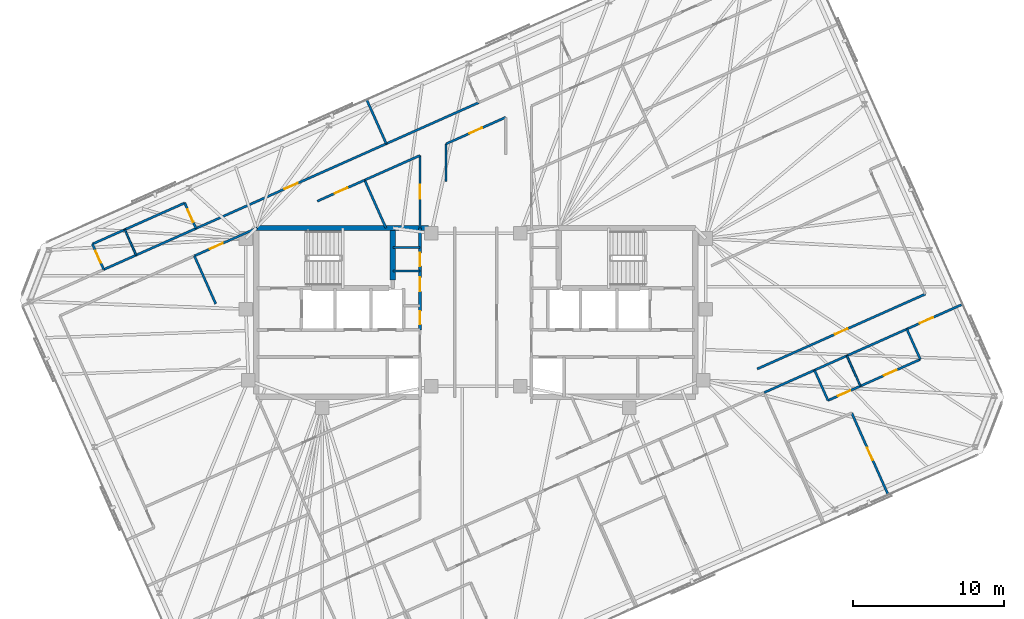
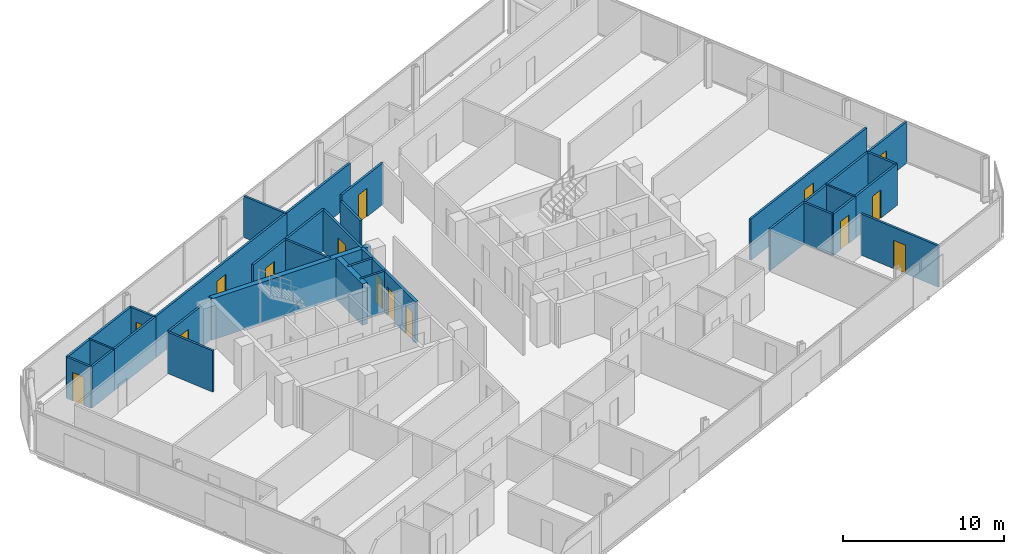
# One storey, part 16 of 19: 34 walls, 15 doors, 15 openings.
"""IFC4 building model written with IfcOpenShell, lengths in metres."""

from ifc_helpers import new_model, si_unit, direction, frame, frame_2d, origin, place, context, subcontext, project, spatial, rectangle, extrude, material, layer, layer_set, type_object, element, fill, save


model = new_model("IFC4")

# Units and contexts
model_context = context("Model", 3, precision=1e-05, world=origin(), true_north=direction((0.0, 1.0)))
body_context = subcontext(model_context, "Body", "Model", "MODEL_VIEW")
ifc_project = project(units=[si_unit("LENGTHUNIT", "METRE"), si_unit("AREAUNIT", "SQUARE_METRE"), si_unit("VOLUMEUNIT", "CUBIC_METRE"), si_unit("PLANEANGLEUNIT", "RADIAN"), si_unit("MASSUNIT", "GRAM", prefix="KILO")], contexts=[model_context])

# Site, building, storey
site_placement = place(None, origin())
site = spatial("IfcSite", under=ifc_project, at=site_placement, CompositionType="ELEMENT")
building_placement = place(site_placement, origin())
building = spatial("IfcBuilding", under=site, at=building_placement, Name="Menara Jurai Vektor", CompositionType="ELEMENT")
storey_placement = place(building_placement, frame((0.0, 0.0, 268.89990234375)))
storey = spatial("IfcBuildingStorey", under=building, at=storey_placement, Name="L72", CompositionType="ELEMENT", Elevation=268.89990234375)

# Walls
ifc_material_1 = material(Name="Gypsum Fireboard Partition", Category="gypsum")
ifc_layer_1 = layer(ifc_material_1, 0.14990234375)
ifc_layer_set_1 = layer_set([ifc_layer_1], Name="Gypsum Fireboard Partition")
wall_type_1 = type_object("IfcWallType", Name="INT-WALL-CORR-150", PredefinedType="PARTITIONING", material=ifc_layer_set_1)
for number, where, z_axis, x_axis, name in (
    (1, (-5.5, 4.300048828125, 0.0), (0.0, 0.0, 1.0), (1.0, 0.0, 0.0), "Interior Wall IW-150 L72"),
    (2, (-5.5, 2.75, 0.0), (0.0, 0.0, 1.0), (1.0, 0.0, 0.0), "Interior Wall IW-150 L72"),
):
    element("IfcWall", number, at=place(storey_placement, frame(where, z_axis=z_axis, x_axis=x_axis)), inside=storey, type_object=wall_type_1, Name=name, PredefinedType="PARTITIONING", context=body_context, shape_type="SweptSolid", body=[
        extrude(rectangle(XDim=1.800048828125, YDim=0.14990234375, at=frame_2d((0.89990234375, 0.0))), origin(), (0.0, 0.0, 1.0), 3.125),
    ])

# Wall, opening, door
wall_1_placement = place(storey_placement, frame((-18.549072265625, 5.5703125, 0.0), z_axis=(0.0, 0.0, 1.0), x_axis=(0.913545955058, 0.40673552586, 0.0)))
wall_1 = element("IfcWall", 3, at=wall_1_placement, inside=storey, type_object=wall_type_1, Name="Interior Wall IW-150 L72", PredefinedType="PARTITIONING", context=body_context, shape_type="SweptSolid", body=[
    extrude(rectangle(XDim=13.80810546875, YDim=0.14990234375, at=frame_2d((6.904052734375, 0.0))), origin(), (0.0, 0.0, 1.0), 3.125),
])
opening_1_placement = place(wall_1_placement, frame((6.428955078125, 0.0, 0.0)))
opening_1 = element("IfcOpeningElement", 4, at=opening_1_placement, cuts=wall_1, Name="Opening D72-10", PredefinedType="OPENING", context=body_context, shape_type="SweptSolid", body=[
    extrude(rectangle(XDim=0.949951171875, YDim=2.14990234375, at=frame_2d((0.47509765625, 1.074951171875))), frame((0.0, 0.0849609375, 0.0), z_axis=(0.0, -1.0, 0.0), x_axis=(1.0, 0.0, 0.0)), (0.0, 0.0, 1.0), 0.169921875),
])
ifc_material_2 = material(Name="Solid Core Timber Fire Door", Category="wood")
door_type_1 = type_object("IfcDoorType", Name="DR-ENTRY-950", OperationType="NOTDEFINED", PredefinedType="DOOR", material=ifc_material_2)
door_1_placement = place(opening_1_placement, origin())
door_1 = element("IfcDoor", 5, at=door_1_placement, inside=storey, type_object=door_type_1, Name="Interior Door D72-10", OperationType="SINGLE_SWING_RIGHT", OverallHeight=2.14990234375, OverallWidth=0.949951171875, PredefinedType="DOOR", context=body_context, shape_type="SweptSolid", body=[
    extrude(rectangle(XDim=0.949951171875, YDim=2.14990234375, at=frame_2d((0.47509765625, 1.074951171875))), frame((0.0, 0.02490234375, 0.0), z_axis=(0.0, -1.0, 0.0), x_axis=(1.0, 0.0, 0.0)), (0.0, 0.0, 1.0), 0.050048828125),
])
fill(opening_1, door_1)

# Walls
wall_2_placement = place(storey_placement, frame((-24.669677734375, 2.84521484375, 0.0), z_axis=(0.0, 0.0, 1.0), x_axis=(0.913541436194, 0.406745675276, 0.0)))
element("IfcWall", 6, at=wall_2_placement, inside=storey, type_object=wall_type_1, Name="Interior Wall IW-150 L72", PredefinedType="PARTITIONING", context=body_context, shape_type="SweptSolid", body=[
    extrude(rectangle(XDim=2.349853515625, YDim=0.14990234375, at=frame_2d((1.1748046875, 0.0))), origin(), (0.0, 0.0, 1.0), 3.125),
])
wall_3_placement = place(storey_placement, frame((-22.52294921875, 3.801025390625, 0.0), z_axis=(0.0, 0.0, 1.0), x_axis=(0.913545193015, 0.406737237438, 0.0)))
element("IfcWall", 7, at=wall_3_placement, inside=storey, type_object=wall_type_1, Name="Interior Wall IW-150 L72", PredefinedType="PARTITIONING", context=body_context, shape_type="SweptSolid", body=[
    extrude(rectangle(XDim=4.349853515625, YDim=0.14990234375, at=frame_2d((2.1748046875, 0.0))), origin(), (0.0, 0.0, 1.0), 3.125),
])
wall_4_placement = place(storey_placement, frame((-5.934814453125, 11.1865234375, 0.0), z_axis=(0.0, 0.0, 1.0), x_axis=(0.91354851465, 0.406729776856, 0.0)))
element("IfcWall", 8, at=wall_4_placement, inside=storey, type_object=wall_type_1, Name="Interior Wall IW-150 L72", PredefinedType="PARTITIONING", context=body_context, shape_type="SweptSolid", body=[
    extrude(rectangle(XDim=6.703125, YDim=0.14990234375, at=frame_2d((3.3515625, 0.0))), origin(), (0.0, 0.0, 1.0), 3.125),
])
wall_5_placement = place(storey_placement, frame((19.125244140625, -5.314208984375, 0.0), z_axis=(0.0, 0.0, 1.0), x_axis=(0.913543802, 0.40674036169, 0.0)))
element("IfcWall", 9, at=wall_5_placement, inside=storey, type_object=wall_type_1, Name="Interior Wall IW-150 L72", PredefinedType="PARTITIONING", context=body_context, shape_type="SweptSolid", body=[
    extrude(rectangle(XDim=3.650146484375, YDim=0.14990234375, at=frame_2d((1.8251953125, 0.0))), origin(), (0.0, 0.0, 1.0), 3.125),
])

# Wall, opening, door
wall_6_placement = place(storey_placement, frame((28.58056640625, -1.1044921875, 0.0), z_axis=(0.0, 0.0, 1.0), x_axis=(0.91352836412, 0.406775033585, 0.0)))
wall_6 = element("IfcWall", 10, at=wall_6_placement, inside=storey, type_object=wall_type_1, Name="Interior Wall IW-150 L72", PredefinedType="PARTITIONING", context=body_context, shape_type="SweptSolid", body=[
    extrude(rectangle(XDim=4.05615234375, YDim=0.14990234375, at=frame_2d((2.028076171875, 0.0))), origin(), (0.0, 0.0, 1.0), 3.125),
])
opening_2_placement = place(wall_6_placement, frame((0.944580078125, 0.0, 0.0)))
opening_2 = element("IfcOpeningElement", 11, at=opening_2_placement, cuts=wall_6, Name="Opening D72-28", PredefinedType="OPENING", context=body_context, shape_type="SweptSolid", body=[
    extrude(rectangle(XDim=0.949951171875, YDim=2.14990234375, at=frame_2d((0.47509765625, 1.074951171875))), frame((0.0, 0.0849609375, 0.0), z_axis=(0.0, -1.0, 0.0), x_axis=(1.0, 0.0, 0.0)), (0.0, 0.0, 1.0), 0.169921875),
])
door_2_placement = place(opening_2_placement, origin())
door_2 = element("IfcDoor", 12, at=door_2_placement, inside=storey, type_object=door_type_1, Name="Interior Door D72-28", OperationType="SINGLE_SWING_RIGHT", OverallHeight=2.14990234375, OverallWidth=0.949951171875, PredefinedType="DOOR", context=body_context, shape_type="SweptSolid", body=[
    extrude(rectangle(XDim=0.949951171875, YDim=2.14990234375, at=frame_2d((0.47509765625, 1.074951171875))), frame((0.0, 0.02490234375, 0.0), z_axis=(0.0, -1.0, 0.0), x_axis=(1.0, 0.0, 0.0)), (0.0, 0.0, 1.0), 0.050048828125),
])
fill(opening_2, door_2)

# Walls
wall_7_placement = place(storey_placement, frame((22.459716796875, -3.82958984375, 0.0), z_axis=(0.0, 0.0, 1.0), x_axis=(0.913541436194, 0.406745675276, 0.0)))
element("IfcWall", 13, at=wall_7_placement, inside=storey, type_object=wall_type_1, Name="Interior Wall IW-150 L72", PredefinedType="PARTITIONING", context=body_context, shape_type="SweptSolid", body=[
    extrude(rectangle(XDim=2.349853515625, YDim=0.14990234375, at=frame_2d((1.1748046875, 0.0))), origin(), (0.0, 0.0, 1.0), 3.125),
])
wall_8_placement = place(storey_placement, frame((24.6064453125, -2.873779296875, 0.0), z_axis=(0.0, 0.0, 1.0), x_axis=(0.913554477336, 0.406716383908, 0.0)))
element("IfcWall", 14, at=wall_8_placement, inside=storey, type_object=wall_type_1, Name="Interior Wall IW-150 L72", PredefinedType="PARTITIONING", context=body_context, shape_type="SweptSolid", body=[
    extrude(rectangle(XDim=4.35009765625, YDim=0.14990234375, at=frame_2d((2.175048828125, 0.0))), origin(), (0.0, 0.0, 1.0), 3.125),
])

# Wall, opening, door
wall_9_placement = place(storey_placement, frame((-18.6611328125, 3.7470703125, 0.0), z_axis=(0.0, 0.0, 1.0), x_axis=(0.913535055583, 0.40676000568, 0.0)))
wall_9 = element("IfcWall", 15, at=wall_9_placement, inside=storey, type_object=wall_type_1, Name="Interior Wall IW-150 L72", PredefinedType="PARTITIONING", context=body_context, shape_type="SweptSolid", body=[
    extrude(rectangle(XDim=4.554931640625, YDim=0.14990234375, at=frame_2d((2.27734375, 0.0))), origin(), (0.0, 0.0, 1.0), 3.125),
])
opening_3_placement = place(wall_9_placement, frame((1.13427734375, 0.0, 0.0)))
opening_3 = element("IfcOpeningElement", 16, at=opening_3_placement, cuts=wall_9, Name="Opening D72-44", PredefinedType="OPENING", context=body_context, shape_type="SweptSolid", body=[
    extrude(rectangle(XDim=0.919921875, YDim=2.14990234375, at=frame_2d((0.4599609375, 1.074951171875))), frame((0.0, 0.0849609375, 0.0), z_axis=(0.0, -1.0, 0.0), x_axis=(1.0, 0.0, 0.0)), (0.0, 0.0, 1.0), 0.169921875),
])
door_3_placement = place(opening_3_placement, origin())
door_3 = element("IfcDoor", 17, at=door_3_placement, inside=storey, type_object=door_type_1, Name="Interior Door D72-44", OperationType="SINGLE_SWING_RIGHT", OverallHeight=2.14990234375, OverallWidth=0.919921875, PredefinedType="DOOR", context=body_context, shape_type="SweptSolid", body=[
    extrude(rectangle(XDim=0.919921875, YDim=2.14990234375, at=frame_2d((0.4599609375, 1.074951171875))), frame((0.0, 0.02490234375, 0.0), z_axis=(0.0, -1.0, 0.0), x_axis=(1.0, 0.0, 0.0)), (0.0, 0.0, 1.0), 0.050048828125),
])
fill(opening_3, door_3)

wall_10_placement = place(storey_placement, frame((-1.979736328125, 11.174072265625, 0.0), z_axis=(0.0, 0.0, 1.0), x_axis=(0.913546598225, 0.406734081276, 0.0)))
wall_10 = element("IfcWall", 18, at=wall_10_placement, inside=storey, type_object=wall_type_1, Name="Interior Wall IW-150 L72", PredefinedType="PARTITIONING", context=body_context, shape_type="SweptSolid", body=[
    extrude(rectangle(XDim=4.3349609375, YDim=0.14990234375, at=frame_2d((2.16748046875, 0.0))), origin(), (0.0, 0.0, 1.0), 3.125),
])
opening_4_placement = place(wall_10_placement, frame((1.70751953125, 0.0, 0.0)))
opening_4 = element("IfcOpeningElement", 19, at=opening_4_placement, cuts=wall_10, Name="Opening D72-45", PredefinedType="OPENING", context=body_context, shape_type="SweptSolid", body=[
    extrude(rectangle(XDim=0.919921875, YDim=2.14990234375, at=frame_2d((0.4599609375, 1.074951171875))), frame((0.0, 0.0849609375, 0.0), z_axis=(0.0, -1.0, 0.0), x_axis=(1.0, 0.0, 0.0)), (0.0, 0.0, 1.0), 0.169921875),
])
door_4_placement = place(opening_4_placement, origin())
door_4 = element("IfcDoor", 20, at=door_4_placement, inside=storey, type_object=door_type_1, Name="Interior Door D72-45", OperationType="SINGLE_SWING_LEFT", OverallHeight=2.14990234375, OverallWidth=0.919921875, PredefinedType="DOOR", context=body_context, shape_type="SweptSolid", body=[
    extrude(rectangle(XDim=0.919921875, YDim=2.14990234375, at=frame_2d((0.4599609375, 1.074951171875))), frame((0.0, 0.02490234375, 0.0), z_axis=(0.0, -1.0, 0.0), x_axis=(1.0, 0.0, 0.0)), (0.0, 0.0, 1.0), 0.050048828125),
])
fill(opening_4, door_4)

wall_11_placement = place(storey_placement, frame((-10.50390625, 7.37890625, 0.0), z_axis=(0.0, 0.0, 1.0), x_axis=(0.913526514415, 0.406779187596, 0.0)))
wall_11 = element("IfcWall", 21, at=wall_11_placement, inside=storey, type_object=wall_type_1, Name="Interior Wall IW-150 L72", PredefinedType="PARTITIONING", context=body_context, shape_type="SweptSolid", body=[
    extrude(rectangle(XDim=3.4287109375, YDim=0.14990234375, at=frame_2d((1.71435546875, 0.0))), origin(), (0.0, 0.0, 1.0), 3.125),
])
opening_5_placement = place(wall_11_placement, frame((1.25439453125, 0.0, 0.0)))
opening_5 = element("IfcOpeningElement", 22, at=opening_5_placement, cuts=wall_11, Name="Opening D72-46", PredefinedType="OPENING", context=body_context, shape_type="SweptSolid", body=[
    extrude(rectangle(XDim=0.919921875, YDim=2.14990234375, at=frame_2d((0.4599609375, 1.074951171875))), frame((0.0, 0.0849609375, 0.0), z_axis=(0.0, -1.0, 0.0), x_axis=(1.0, 0.0, 0.0)), (0.0, 0.0, 1.0), 0.169921875),
])
door_5_placement = place(opening_5_placement, origin())
door_5 = element("IfcDoor", 23, at=door_5_placement, inside=storey, type_object=door_type_1, Name="Interior Door D72-46", OperationType="SINGLE_SWING_RIGHT", OverallHeight=2.14990234375, OverallWidth=0.919921875, PredefinedType="DOOR", context=body_context, shape_type="SweptSolid", body=[
    extrude(rectangle(XDim=0.919921875, YDim=2.14990234375, at=frame_2d((0.4599609375, 1.074951171875))), frame((0.0, 0.02490234375, 0.0), z_axis=(0.0, -1.0, 0.0), x_axis=(1.0, 0.0, 0.0)), (0.0, 0.0, 1.0), 0.050048828125),
])
fill(opening_5, door_5)

# Wall
wall_12_placement = place(storey_placement, frame((-7.37158203125, 8.773681640625, 0.0), z_axis=(0.0, 0.0, 1.0), x_axis=(0.913563383118, 0.406696379412, 0.0)))
element("IfcWall", 24, at=wall_12_placement, inside=storey, type_object=wall_type_1, Name="Interior Wall IW-150 L72", PredefinedType="PARTITIONING", context=body_context, shape_type="SweptSolid", body=[
    extrude(rectangle(XDim=4.01904296875, YDim=0.14990234375, at=frame_2d((2.009521484375, 0.0))), origin(), (0.0, 0.0, 1.0), 3.125),
])

# Wall, opening, door
wall_13_placement = place(storey_placement, frame((-3.7001953125, 5.599609375, 0.0), z_axis=(0.0, 0.0, 1.0), x_axis=(5.077173e-05, 0.999999998711, 0.0)))
wall_13 = element("IfcWall", 25, at=wall_13_placement, inside=storey, type_object=wall_type_1, Name="Interior Wall IW-150 L72", PredefinedType="PARTITIONING", context=body_context, shape_type="SweptSolid", body=[
    extrude(rectangle(XDim=4.80859375, YDim=0.14990234375, at=frame_2d((2.404296875, 0.0))), origin(), (0.0, 0.0, 1.0), 3.125),
])
opening_6_placement = place(wall_13_placement, frame((1.9443359375, 0.0, 0.0)))
opening_6 = element("IfcOpeningElement", 26, at=opening_6_placement, cuts=wall_13, Name="Opening D72-47", PredefinedType="OPENING", context=body_context, shape_type="SweptSolid", body=[
    extrude(rectangle(XDim=0.919921875, YDim=2.14990234375, at=frame_2d((0.4599609375, 1.074951171875))), frame((0.0, 0.0849609375, 0.0), z_axis=(0.0, -1.0, 0.0), x_axis=(1.0, 0.0, 0.0)), (0.0, 0.0, 1.0), 0.169921875),
])
door_6_placement = place(opening_6_placement, origin())
door_6 = element("IfcDoor", 27, at=door_6_placement, inside=storey, type_object=door_type_1, Name="Interior Door D72-47", OperationType="SINGLE_SWING_LEFT", OverallHeight=2.14990234375, OverallWidth=0.919921875, PredefinedType="DOOR", context=body_context, shape_type="SweptSolid", body=[
    extrude(rectangle(XDim=0.919921875, YDim=2.14990234375, at=frame_2d((0.4599609375, 1.074951171875))), frame((0.0, 0.02490234375, 0.0), z_axis=(0.0, -1.0, 0.0), x_axis=(1.0, 0.0, 0.0)), (0.0, 0.0, 1.0), 0.050048828125),
])
fill(opening_6, door_6)

wall_14_placement = place(storey_placement, frame((18.661865234375, -3.747314453125, 0.0), z_axis=(0.0, 0.0, 1.0), x_axis=(0.91353989142, 0.406749144787, 0.0)))
wall_14 = element("IfcWall", 28, at=wall_14_placement, inside=storey, type_object=wall_type_1, Name="Interior Wall IW-150 L72", PredefinedType="PARTITIONING", context=body_context, shape_type="SweptSolid", body=[
    extrude(rectangle(XDim=12.201904296875, YDim=0.14990234375, at=frame_2d((6.10107421875, 0.0))), origin(), (0.0, 0.0, 1.0), 3.125),
])
opening_7_placement = place(wall_14_placement, frame((5.64111328125, 0.0, 0.0)))
opening_7 = element("IfcOpeningElement", 29, at=opening_7_placement, cuts=wall_14, Name="Opening D72-48", PredefinedType="OPENING", context=body_context, shape_type="SweptSolid", body=[
    extrude(rectangle(XDim=0.919921875, YDim=2.14990234375, at=frame_2d((0.4599609375, 1.074951171875))), frame((0.0, 0.0849609375, 0.0), z_axis=(0.0, -1.0, 0.0), x_axis=(1.0, 0.0, 0.0)), (0.0, 0.0, 1.0), 0.169921875),
])
door_7_placement = place(opening_7_placement, origin())
door_7 = element("IfcDoor", 30, at=door_7_placement, inside=storey, type_object=door_type_1, Name="Interior Door D72-48", OperationType="SINGLE_SWING_RIGHT", OverallHeight=2.14990234375, OverallWidth=0.919921875, PredefinedType="DOOR", context=body_context, shape_type="SweptSolid", body=[
    extrude(rectangle(XDim=0.919921875, YDim=2.14990234375, at=frame_2d((0.4599609375, 1.074951171875))), frame((0.0, 0.02490234375, 0.0), z_axis=(0.0, -1.0, 0.0), x_axis=(1.0, 0.0, 0.0)), (0.0, 0.0, 1.0), 0.050048828125),
])
fill(opening_7, door_7)

wall_15_placement = place(storey_placement, frame((-24.669677734375, 2.84521484375, 0.0), z_axis=(0.0, 0.0, 1.0), x_axis=(-0.406701600856, 0.913561058639, 0.0)))
wall_15 = element("IfcWall", 31, at=wall_15_placement, inside=storey, type_object=wall_type_1, Name="Interior Wall IW-150 L72", PredefinedType="PARTITIONING", context=body_context, shape_type="SweptSolid", body=[
    extrude(rectangle(XDim=1.85009765625, YDim=0.14990234375, at=frame_2d((0.925048828125, 0.0))), origin(), (0.0, 0.0, 1.0), 3.125),
])
opening_8_placement = place(wall_15_placement, frame((0.485107421875, 0.0, 0.0)))
opening_8 = element("IfcOpeningElement", 32, at=opening_8_placement, cuts=wall_15, Name="Opening D72-11", PredefinedType="OPENING", context=body_context, shape_type="SweptSolid", body=[
    extrude(rectangle(XDim=0.8798828125, YDim=2.14990234375, at=frame_2d((0.43994140625, 1.074951171875))), frame((0.0, 0.0849609375, 0.0), z_axis=(0.0, -1.0, 0.0), x_axis=(1.0, 0.0, 0.0)), (0.0, 0.0, 1.0), 0.169921875),
])
ifc_material_3 = material(Name="Moisture-Resistant Timber Door", Category="wood")
door_type_2 = type_object("IfcDoorType", Name="DR-BATH-880", OperationType="NOTDEFINED", PredefinedType="DOOR", material=ifc_material_3)
door_8_placement = place(opening_8_placement, origin())
door_8 = element("IfcDoor", 33, at=door_8_placement, inside=storey, type_object=door_type_2, Name="Interior Door D72-11", OperationType="SINGLE_SWING_LEFT", OverallHeight=2.14990234375, OverallWidth=0.8798828125, PredefinedType="DOOR", context=body_context, shape_type="SweptSolid", body=[
    extrude(rectangle(XDim=0.8798828125, YDim=2.14990234375, at=frame_2d((0.43994140625, 1.074951171875))), frame((0.0, 0.02490234375, 0.0), z_axis=(0.0, -1.0, 0.0), x_axis=(1.0, 0.0, 0.0)), (0.0, 0.0, 1.0), 0.050048828125),
])
fill(opening_8, door_8)

# Walls
wall_16_placement = place(storey_placement, frame((-25.422119140625, 4.535400390625, 0.0), z_axis=(0.0, 0.0, 1.0), x_axis=(0.913541436194, 0.406745675276, 0.0)))
element("IfcWall", 34, at=wall_16_placement, inside=storey, type_object=wall_type_1, Name="Interior Wall IW-150 L72", PredefinedType="PARTITIONING", context=body_context, shape_type="SweptSolid", body=[
    extrude(rectangle(XDim=2.349853515625, YDim=0.14990234375, at=frame_2d((1.1748046875, 0.0))), origin(), (0.0, 0.0, 1.0), 3.125),
])
wall_17_placement = place(storey_placement, frame((-23.275390625, 5.4912109375, 0.0), z_axis=(0.0, 0.0, 1.0), x_axis=(0.913545193015, 0.406737237438, 0.0)))
element("IfcWall", 35, at=wall_17_placement, inside=storey, type_object=wall_type_1, Name="Interior Wall IW-150 L72", PredefinedType="PARTITIONING", context=body_context, shape_type="SweptSolid", body=[
    extrude(rectangle(XDim=4.349853515625, YDim=0.14990234375, at=frame_2d((2.1748046875, 0.0))), origin(), (0.0, 0.0, 1.0), 3.125),
])

# Wall, opening, door
wall_18_placement = place(storey_placement, frame((-18.549072265625, 5.5703125, 0.0), z_axis=(0.0, 0.0, 1.0), x_axis=(-0.406701600856, 0.913561058639, 0.0)))
wall_18 = element("IfcWall", 36, at=wall_18_placement, inside=storey, type_object=wall_type_1, Name="Interior Wall IW-150 L72", PredefinedType="PARTITIONING", context=body_context, shape_type="SweptSolid", body=[
    extrude(rectangle(XDim=1.85009765625, YDim=0.14990234375, at=frame_2d((0.925048828125, 0.0))), origin(), (0.0, 0.0, 1.0), 3.125),
])
opening_9_placement = place(wall_18_placement, frame((0.47509765625, 0.0, 0.0)))
opening_9 = element("IfcOpeningElement", 37, at=opening_9_placement, cuts=wall_18, Name="Opening D72-12", PredefinedType="OPENING", context=body_context, shape_type="SweptSolid", body=[
    extrude(rectangle(XDim=0.89990234375, YDim=2.14990234375, at=frame_2d((0.449951171875, 1.074951171875))), frame((0.0, 0.0849609375, 0.0), z_axis=(0.0, -1.0, 0.0), x_axis=(1.0, 0.0, 0.0)), (0.0, 0.0, 1.0), 0.169921875),
])
ifc_material_4 = material(Name="Acoustic Timber Interior Door", Category="wood")
door_type_3 = type_object("IfcDoorType", Name="DR-ROOM-900", OperationType="NOTDEFINED", PredefinedType="DOOR", material=ifc_material_4)
door_9_placement = place(opening_9_placement, origin())
door_9 = element("IfcDoor", 38, at=door_9_placement, inside=storey, type_object=door_type_3, Name="Interior Door D72-12", OperationType="SINGLE_SWING_RIGHT", OverallHeight=2.14990234375, OverallWidth=0.89990234375, PredefinedType="DOOR", context=body_context, shape_type="SweptSolid", body=[
    extrude(rectangle(XDim=0.89990234375, YDim=2.14990234375, at=frame_2d((0.449951171875, 1.074951171875))), frame((0.0, 0.02490234375, 0.0), z_axis=(0.0, -1.0, 0.0), x_axis=(1.0, 0.0, 0.0)), (0.0, 0.0, 1.0), 0.050048828125),
])
fill(opening_9, door_9)

# Walls
wall_19_placement = place(storey_placement, frame((-5.934814453125, 11.1865234375, 0.0), z_axis=(0.0, 0.0, 1.0), x_axis=(-0.406733350739, 0.913546923478, 0.0)))
element("IfcWall", 39, at=wall_19_placement, inside=storey, type_object=wall_type_1, Name="Interior Wall IW-150 L72", PredefinedType="PARTITIONING", context=body_context, shape_type="SweptSolid", body=[
    extrude(rectangle(XDim=3.197998046875, YDim=0.14990234375, at=frame_2d((1.59912109375, 0.0))), origin(), (0.0, 0.0, 1.0), 3.125),
])
wall_20_placement = place(storey_placement, frame((23.3544921875, -5.83935546875, 0.0), z_axis=(0.0, 0.0, 1.0), x_axis=(-0.406725294076, 0.913550510459, 0.0)))
element("IfcWall", 40, at=wall_20_placement, inside=storey, type_object=wall_type_1, Name="Interior Wall IW-150 L72", PredefinedType="PARTITIONING", context=body_context, shape_type="SweptSolid", body=[
    extrude(rectangle(XDim=2.199951171875, YDim=0.14990234375, at=frame_2d((1.10009765625, 0.0))), origin(), (0.0, 0.0, 1.0), 3.125),
])

# Wall, opening, door
wall_21_placement = place(storey_placement, frame((23.3544921875, -5.83935546875, 0.0), z_axis=(0.0, 0.0, 1.0), x_axis=(0.913558622212, 0.406707073682, 0.0)))
wall_21 = element("IfcWall", 41, at=wall_21_placement, inside=storey, type_object=wall_type_1, Name="Interior Wall IW-150 L72", PredefinedType="PARTITIONING", context=body_context, shape_type="SweptSolid", body=[
    extrude(rectangle(XDim=2.35009765625, YDim=0.14990234375, at=frame_2d((1.175048828125, 0.0))), origin(), (0.0, 0.0, 1.0), 3.125),
])
opening_10_placement = place(wall_21_placement, frame((0.735107421875, 0.0, 0.0)))
opening_10 = element("IfcOpeningElement", 42, at=opening_10_placement, cuts=wall_21, Name="Opening D72-29", PredefinedType="OPENING", context=body_context, shape_type="SweptSolid", body=[
    extrude(rectangle(XDim=0.8798828125, YDim=2.14990234375, at=frame_2d((0.43994140625, 1.074951171875))), frame((0.0, 0.0849609375, 0.0), z_axis=(0.0, -1.0, 0.0), x_axis=(1.0, 0.0, 0.0)), (0.0, 0.0, 1.0), 0.169921875),
])
door_10_placement = place(opening_10_placement, origin())
door_10 = element("IfcDoor", 43, at=door_10_placement, inside=storey, type_object=door_type_2, Name="Interior Door D72-29", OperationType="SINGLE_SWING_LEFT", OverallHeight=2.14990234375, OverallWidth=0.8798828125, PredefinedType="DOOR", context=body_context, shape_type="SweptSolid", body=[
    extrude(rectangle(XDim=0.8798828125, YDim=2.14990234375, at=frame_2d((0.43994140625, 1.074951171875))), frame((0.0, 0.02490234375, 0.0), z_axis=(0.0, -1.0, 0.0), x_axis=(1.0, 0.0, 0.0)), (0.0, 0.0, 1.0), 0.050048828125),
])
fill(opening_10, door_10)

wall_22_placement = place(storey_placement, frame((25.50146484375, -4.883544921875, 0.0), z_axis=(0.0, 0.0, 1.0), x_axis=(0.913545193015, 0.406737237438, 0.0)))
wall_22 = element("IfcWall", 44, at=wall_22_placement, inside=storey, type_object=wall_type_1, Name="Interior Wall IW-150 L72", PredefinedType="PARTITIONING", context=body_context, shape_type="SweptSolid", body=[
    extrude(rectangle(XDim=4.349853515625, YDim=0.14990234375, at=frame_2d((2.1748046875, 0.0))), origin(), (0.0, 0.0, 1.0), 3.125),
])
opening_11_placement = place(wall_22_placement, frame((1.72509765625, 0.0, 0.0)))
opening_11 = element("IfcOpeningElement", 45, at=opening_11_placement, cuts=wall_22, Name="Opening D72-30", PredefinedType="OPENING", context=body_context, shape_type="SweptSolid", body=[
    extrude(rectangle(XDim=0.89990234375, YDim=2.14990234375, at=frame_2d((0.449951171875, 1.074951171875))), frame((0.0, 0.0849609375, 0.0), z_axis=(0.0, -1.0, 0.0), x_axis=(1.0, 0.0, 0.0)), (0.0, 0.0, 1.0), 0.169921875),
])
door_11_placement = place(opening_11_placement, origin())
door_11 = element("IfcDoor", 46, at=door_11_placement, inside=storey, type_object=door_type_3, Name="Interior Door D72-30", OperationType="SINGLE_SWING_RIGHT", OverallHeight=2.14990234375, OverallWidth=0.89990234375, PredefinedType="DOOR", context=body_context, shape_type="SweptSolid", body=[
    extrude(rectangle(XDim=0.89990234375, YDim=2.14990234375, at=frame_2d((0.449951171875, 1.074951171875))), frame((0.0, 0.02490234375, 0.0), z_axis=(0.0, -1.0, 0.0), x_axis=(1.0, 0.0, 0.0)), (0.0, 0.0, 1.0), 0.050048828125),
])
fill(opening_11, door_11)

# Wall
wall_23_placement = place(storey_placement, frame((29.475341796875, -3.1142578125, 0.0), z_axis=(0.0, 0.0, 1.0), x_axis=(-0.406725294076, 0.913550510459, 0.0)))
element("IfcWall", 47, at=wall_23_placement, inside=storey, type_object=wall_type_1, Name="Interior Wall IW-150 L72", PredefinedType="PARTITIONING", context=body_context, shape_type="SweptSolid", body=[
    extrude(rectangle(XDim=2.199951171875, YDim=0.14990234375, at=frame_2d((1.10009765625, 0.0))), origin(), (0.0, 0.0, 1.0), 3.125),
])

# Wall, opening, door
wall_24_placement = place(storey_placement, frame((27.3427734375, -12.0927734375, 0.0), z_axis=(0.0, 0.0, 1.0), x_axis=(-0.406714717734, 0.913555219119, 0.0)))
wall_24 = element("IfcWall", 48, at=wall_24_placement, inside=storey, type_object=wall_type_1, Name="Interior Wall IW-150 L72", PredefinedType="PARTITIONING", context=body_context, shape_type="SweptSolid", body=[
    extrude(rectangle(XDim=5.934814453125, YDim=0.14990234375, at=frame_2d((2.96728515625, 0.0))), origin(), (0.0, 0.0, 1.0), 3.125),
])
opening_12_placement = place(wall_24_placement, frame((2.517578125, 0.0, 0.0)))
opening_12 = element("IfcOpeningElement", 49, at=opening_12_placement, cuts=wall_24, Name="Opening D72-31", PredefinedType="OPENING", context=body_context, shape_type="SweptSolid", body=[
    extrude(rectangle(XDim=0.89990234375, YDim=2.14990234375, at=frame_2d((0.449951171875, 1.074951171875))), frame((0.0, 0.0849609375, 0.0), z_axis=(0.0, -1.0, 0.0), x_axis=(1.0, 0.0, 0.0)), (0.0, 0.0, 1.0), 0.169921875),
])
door_12_placement = place(opening_12_placement, origin())
door_12 = element("IfcDoor", 50, at=door_12_placement, inside=storey, type_object=door_type_3, Name="Interior Door D72-31", OperationType="SINGLE_SWING_LEFT", OverallHeight=2.14990234375, OverallWidth=0.89990234375, PredefinedType="DOOR", context=body_context, shape_type="SweptSolid", body=[
    extrude(rectangle(XDim=0.89990234375, YDim=2.14990234375, at=frame_2d((0.449951171875, 1.074951171875))), frame((0.0, 0.02490234375, 0.0), z_axis=(0.0, -1.0, 0.0), x_axis=(1.0, 0.0, 0.0)), (0.0, 0.0, 1.0), 0.050048828125),
])
fill(opening_12, door_12)

# Walls
wall_25_placement = place(storey_placement, frame((-17.24609375, 0.56884765625, 0.0), z_axis=(0.0, 0.0, 1.0), x_axis=(-0.40673740295, 0.913545119324, 0.0)))
element("IfcWall", 51, at=wall_25_placement, inside=storey, type_object=wall_type_1, Name="Interior Wall IW-150 L72", PredefinedType="PARTITIONING", context=body_context, shape_type="SweptSolid", body=[
    extrude(rectangle(XDim=3.47900390625, YDim=0.14990234375, at=frame_2d((1.739501953125, 0.0))), origin(), (0.0, 0.0, 1.0), 3.125),
])
wall_26_placement = place(storey_placement, frame((-5.95849609375, 5.599853515625, 0.0), z_axis=(0.0, 0.0, 1.0), x_axis=(-0.406738231884, 0.913544750258, 0.0)))
element("IfcWall", 52, at=wall_26_placement, inside=storey, type_object=wall_type_1, Name="Interior Wall IW-150 L72", PredefinedType="PARTITIONING", context=body_context, shape_type="SweptSolid", body=[
    extrude(rectangle(XDim=3.47412109375, YDim=0.14990234375, at=frame_2d((1.737060546875, 0.0))), origin(), (0.0, 0.0, 1.0), 3.125),
])
ifc_layer_2 = layer(ifc_material_1, 0.14990234375)
ifc_layer_set_2 = layer_set([ifc_layer_2], Name="Gypsum Fireboard Partition")
wall_type_2 = type_object("IfcWallType", Name="INT-WALL-CORR-150-H1", PredefinedType="PARTITIONING", material=ifc_layer_set_2)
wall_27_placement = place(storey_placement, frame((-1.980224609375, 8.69677734375, 0.0), z_axis=(0.0, 0.0, 1.0), x_axis=(0.000197102588, 0.999999980575, 0.0)))
element("IfcWall", 53, at=wall_27_placement, inside=storey, type_object=wall_type_2, Name="Interior Wall IW-150 L72", PredefinedType="PARTITIONING", context=body_context, shape_type="SweptSolid", body=[
    extrude(rectangle(XDim=2.477294921875, YDim=0.14990234375, at=frame_2d((1.23876953125, 0.0))), origin(), (0.0, 0.0, 1.0), 2.675048828125),
])
ifc_material_5 = material(Name="Gypsum Acoustic Stud Partition", Category="gypsum")
ifc_layer_3 = layer(ifc_material_5, 0.1201171875)
ifc_layer_set_3 = layer_set([ifc_layer_3], Name="Gypsum Acoustic Stud Partition")
wall_type_3 = type_object("IfcWallType", Name="INT-WALL-PART-120", PredefinedType="PARTITIONING", material=ifc_layer_set_3)
wall_28_placement = place(storey_placement, frame((-22.52294921875, 3.801025390625, 0.0), z_axis=(0.0, 0.0, 1.0), x_axis=(-0.406701600856, 0.913561058639, 0.0)))
element("IfcWall", 54, at=wall_28_placement, inside=storey, type_object=wall_type_3, Name="Interior Wall IW-120 L72", PredefinedType="PARTITIONING", context=body_context, shape_type="SweptSolid", body=[
    extrude(rectangle(XDim=1.85009765625, YDim=0.1201171875, at=frame_2d((0.925048828125, 0.0))), origin(), (0.0, 0.0, 1.0), 3.125),
])
wall_29_placement = place(storey_placement, frame((25.50146484375, -4.883544921875, 0.0), z_axis=(0.0, 0.0, 1.0), x_axis=(-0.406817905151, 0.913509273105, 0.0)))
element("IfcWall", 55, at=wall_29_placement, inside=storey, type_object=wall_type_3, Name="Interior Wall IW-120 L72", PredefinedType="PARTITIONING", context=body_context, shape_type="SweptSolid", body=[
    extrude(rectangle(XDim=2.199951171875, YDim=0.1201171875, at=frame_2d((1.10009765625, 0.0))), origin(), (0.0, 0.0, 1.0), 3.125),
])

# Wall, openings, doors
ifc_material_6 = material(Name="Concrete C40/50", Category="concrete")
ifc_layer_4 = layer(ifc_material_6, 0.199951171875)
ifc_layer_set_4 = layer_set([ifc_layer_4], Name="Concrete C40/50")
wall_type_4 = type_object("IfcWallType", Name="INT-WALL-SHAFT-200", PredefinedType="STANDARD", material=ifc_layer_set_4)
wall_30_placement = place(storey_placement, frame((-3.699951171875, -1.14990234375, 0.0), z_axis=(0.0, 0.0, 1.0), x_axis=(0.0, 1.0, 0.0)))
wall_30 = element("IfcWall", 56, at=wall_30_placement, inside=storey, type_object=wall_type_4, Name="Interior Wall IW-200 L72", PredefinedType="STANDARD", context=body_context, shape_type="SweptSolid", body=[
    extrude(rectangle(XDim=6.75, YDim=0.199951171875, at=frame_2d((3.375, 0.0))), origin(), (0.0, 0.0, 1.0), 3.125),
])
opening_13_placement = place(wall_30_placement, frame((0.35009765625, 0.0, 0.0)))
opening_13 = element("IfcOpeningElement", 57, at=opening_13_placement, cuts=wall_30, Name="Opening D72-02", PredefinedType="OPENING", context=body_context, shape_type="SweptSolid", body=[
    extrude(rectangle(XDim=0.8798828125, YDim=2.14990234375, at=frame_2d((0.43994140625, 1.074951171875))), frame((0.0, 0.10986328125, 0.0), z_axis=(0.0, -1.0, 0.0), x_axis=(1.0, 0.0, 0.0)), (0.0, 0.0, 1.0), 0.219970703125),
])
opening_14_placement = place(wall_30_placement, frame((2.550048828125, 0.0, 0.0)))
opening_14 = element("IfcOpeningElement", 58, at=opening_14_placement, cuts=wall_30, Name="Opening D72-03", PredefinedType="OPENING", context=body_context, shape_type="SweptSolid", body=[
    extrude(rectangle(XDim=0.919921875, YDim=2.14990234375, at=frame_2d((0.4599609375, 1.074951171875))), frame((0.0, 0.10986328125, 0.0), z_axis=(0.0, -1.0, 0.0), x_axis=(1.0, 0.0, 0.0)), (0.0, 0.0, 1.0), 0.219970703125),
])
opening_15_placement = place(wall_30_placement, frame((4.219970703125, 0.0, 0.0)))
opening_15 = element("IfcOpeningElement", 59, at=opening_15_placement, cuts=wall_30, Name="Opening D72-04", PredefinedType="OPENING", context=body_context, shape_type="SweptSolid", body=[
    extrude(rectangle(XDim=0.8798828125, YDim=2.14990234375, at=frame_2d((0.43994140625, 1.074951171875))), frame((0.0, 0.10986328125, 0.0), z_axis=(0.0, -1.0, 0.0), x_axis=(1.0, 0.0, 0.0)), (0.0, 0.0, 1.0), 0.219970703125),
])
door_13_placement = place(opening_13_placement, origin())
door_13 = element("IfcDoor", 60, at=door_13_placement, inside=storey, type_object=door_type_1, Name="Interior Door D72-02", OperationType="SINGLE_SWING_LEFT", OverallHeight=2.14990234375, OverallWidth=0.8798828125, PredefinedType="DOOR", context=body_context, shape_type="SweptSolid", body=[
    extrude(rectangle(XDim=0.8798828125, YDim=2.14990234375, at=frame_2d((0.43994140625, 1.074951171875))), frame((0.0, 0.02490234375, 0.0), z_axis=(0.0, -1.0, 0.0), x_axis=(1.0, 0.0, 0.0)), (0.0, 0.0, 1.0), 0.050048828125),
])
fill(opening_13, door_13)
door_14_placement = place(opening_14_placement, origin())
door_14 = element("IfcDoor", 61, at=door_14_placement, inside=storey, type_object=door_type_1, Name="Interior Door D72-03", OperationType="SINGLE_SWING_LEFT", OverallHeight=2.14990234375, OverallWidth=0.919921875, PredefinedType="DOOR", context=body_context, shape_type="SweptSolid", body=[
    extrude(rectangle(XDim=0.919921875, YDim=2.14990234375, at=frame_2d((0.4599609375, 1.074951171875))), frame((0.0, 0.02490234375, 0.0), z_axis=(0.0, -1.0, 0.0), x_axis=(1.0, 0.0, 0.0)), (0.0, 0.0, 1.0), 0.050048828125),
])
fill(opening_14, door_14)
door_15_placement = place(opening_15_placement, origin())
door_15 = element("IfcDoor", 62, at=door_15_placement, inside=storey, type_object=door_type_1, Name="Interior Door D72-04", OperationType="SINGLE_SWING_LEFT", OverallHeight=2.14990234375, OverallWidth=0.8798828125, PredefinedType="DOOR", context=body_context, shape_type="SweptSolid", body=[
    extrude(rectangle(XDim=0.8798828125, YDim=2.14990234375, at=frame_2d((0.43994140625, 1.074951171875))), frame((0.0, 0.02490234375, 0.0), z_axis=(0.0, -1.0, 0.0), x_axis=(1.0, 0.0, 0.0)), (0.0, 0.0, 1.0), 0.050048828125),
])
fill(opening_15, door_15)

# Walls
ifc_material_7 = material(Name="Concrete C50/60", Category="concrete")
ifc_layer_5 = layer(ifc_material_7, 0.35009765625)
ifc_layer_set_5 = layer_set([ifc_layer_5], Name="Concrete C50/60")
wall_type_5 = type_object("IfcWallType", Name="STR-WALL-CORE350", PredefinedType="SHEAR", material=ifc_layer_set_5)
wall_31_placement = place(storey_placement, frame((-14.56005859375, 5.60009765625, 0.0), z_axis=(0.0, 0.0, 1.0), x_axis=(1.0, 0.0, 0.0)))
element("IfcWall", 63, at=wall_31_placement, inside=storey, type_object=wall_type_5, Name="Core Shear Wall CW-W-N L72", PredefinedType="SHEAR", context=body_context, shape_type="SweptSolid", body=[
    extrude(rectangle(XDim=11.41015625, YDim=0.35009765625, at=frame_2d((5.705078125, 0.0))), origin(), (0.0, 0.0, 1.0), 3.125),
])
wall_32_placement = place(storey_placement, frame((-5.5, 2.14990234375, 0.0), z_axis=(0.0, 0.0, 1.0), x_axis=(0.0, 1.0, 0.0)))
element("IfcWall", 64, at=wall_32_placement, inside=storey, type_object=wall_type_5, Name="Core Shear Wall CW-W-ST L72", PredefinedType="SHEAR", context=body_context, shape_type="SweptSolid", body=[
    extrude(rectangle(XDim=3.275146484375, YDim=0.35009765625, at=frame_2d((1.6376953125, 0.0))), origin(), (0.0, 0.0, 1.0), 3.125),
])

save(model, "model.ifc")
